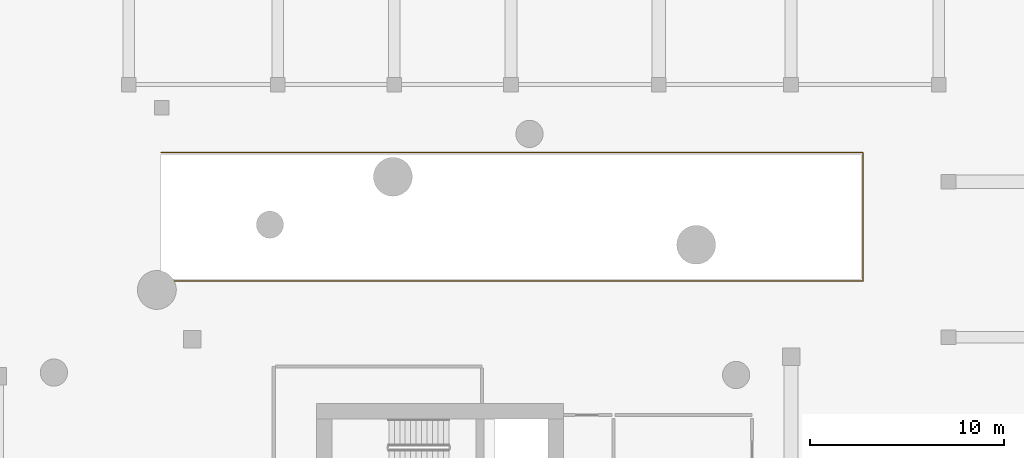
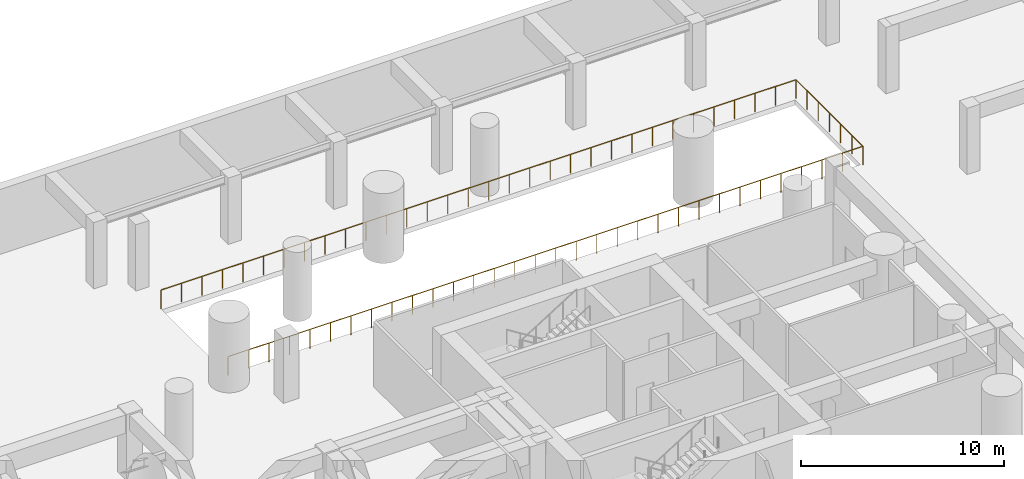
# One storey, part 10 of 10: 1 railing.
"""IFC4 building model written with IfcOpenShell, lengths in metres."""

from ifc_helpers import new_model, si_unit, direction, frame, origin, origin_2d, place, context, subcontext, project, spatial, circle, extrude, source, transform, mapped, material, type_object, element, save


model = new_model("IFC4")

# Units and contexts
model_context = context("Model", 3, precision=1e-05, world=origin(), true_north=direction((0.0, 1.0)))
body_context = subcontext(model_context, "Body", "Model", "MODEL_VIEW")
ifc_project = project(units=[si_unit("LENGTHUNIT", "METRE"), si_unit("AREAUNIT", "SQUARE_METRE"), si_unit("VOLUMEUNIT", "CUBIC_METRE"), si_unit("PLANEANGLEUNIT", "RADIAN"), si_unit("MASSUNIT", "GRAM", prefix="KILO")], contexts=[model_context])

# Site, building, storey
site_placement = place(None, origin())
site = spatial("IfcSite", under=ifc_project, at=site_placement, CompositionType="ELEMENT")
building_placement = place(site_placement, origin())
building = spatial("IfcBuilding", under=site, at=building_placement, Name="Qafzar Sky-Pleat Residences", CompositionType="ELEMENT")
storey_placement = place(building_placement, frame((0.0, 0.0, -4.199951171875)))
storey = spatial("IfcBuildingStorey", under=building, at=storey_placement, Name="B01", CompositionType="ELEMENT", Elevation=-4.199951171875)

# Railing
ifc_material = material(Name="Galvanised and bronze-coated Steel S355 guardrail", Category="steel")
railing_type = type_object("IfcRailingType", Name="RAIL-EXT-1150", PredefinedType="GUARDRAIL", material=ifc_material)
shared_shape = source(origin(), body_context, "Body", "SweptSolid", [
    extrude(circle(Radius=0.02392578125, at=origin_2d()), frame((0.0, 0.0, 1.1259765625), z_axis=(1.0, 0.0, 0.0), x_axis=(0.0, 1.0, 0.0)), (0.0, 0.0, 1.0), 36.10009765625),
    extrude(circle(Radius=0.02392578125, at=origin_2d()), frame((36.10009765625, 0.0, 1.1259765625), z_axis=(0.0, 1.0, 0.0), x_axis=(-1.0, 0.0, 0.0)), (0.0, 0.0, 1.0), 6.60009765625),
    extrude(circle(Radius=0.02392578125, at=origin_2d()), frame((36.10009765625, 6.60009765625, 1.1259765625), z_axis=(-1.0, 0.0, 0.0), x_axis=(0.0, -1.0, 0.0)), (0.0, 0.0, 1.0), 36.10009765625),
    extrude(circle(Radius=0.02099609375, at=origin_2d()), origin(), (0.0, 0.0, 1.0), 1.101806640625),
    extrude(circle(Radius=0.02099609375, at=origin_2d()), frame((1.16455078125, 0.0, 0.0)), (0.0, 0.0, 1.0), 1.101806640625),
    extrude(circle(Radius=0.02099609375, at=origin_2d()), frame((2.3291015625, 0.0, 0.0)), (0.0, 0.0, 1.0), 1.101806640625),
    extrude(circle(Radius=0.02099609375, at=origin_2d()), frame((3.49365234375, 0.0, 0.0)), (0.0, 0.0, 1.0), 1.101806640625),
    extrude(circle(Radius=0.02099609375, at=origin_2d()), frame((4.657958984375, 0.0, 0.0)), (0.0, 0.0, 1.0), 1.101806640625),
    extrude(circle(Radius=0.02099609375, at=origin_2d()), frame((5.822509765625, 0.0, 0.0)), (0.0, 0.0, 1.0), 1.101806640625),
    extrude(circle(Radius=0.02099609375, at=origin_2d()), frame((6.987060546875, 0.0, 0.0)), (0.0, 0.0, 1.0), 1.101806640625),
    extrude(circle(Radius=0.02099609375, at=origin_2d()), frame((8.151611328125, 0.0, 0.0)), (0.0, 0.0, 1.0), 1.101806640625),
    extrude(circle(Radius=0.02099609375, at=origin_2d()), frame((9.316162109375, 0.0, 0.0)), (0.0, 0.0, 1.0), 1.101806640625),
    extrude(circle(Radius=0.02099609375, at=origin_2d()), frame((10.480712890625, 0.0, 0.0)), (0.0, 0.0, 1.0), 1.101806640625),
    extrude(circle(Radius=0.02099609375, at=origin_2d()), frame((11.645263671875, 0.0, 0.0)), (0.0, 0.0, 1.0), 1.101806640625),
    extrude(circle(Radius=0.02099609375, at=origin_2d()), frame((12.809814453125, 0.0, 0.0)), (0.0, 0.0, 1.0), 1.101806640625),
    extrude(circle(Radius=0.02099609375, at=origin_2d()), frame((13.97412109375, 0.0, 0.0)), (0.0, 0.0, 1.0), 1.101806640625),
    extrude(circle(Radius=0.02099609375, at=origin_2d()), frame((15.138671875, 0.0, 0.0)), (0.0, 0.0, 1.0), 1.101806640625),
    extrude(circle(Radius=0.02099609375, at=origin_2d()), frame((16.30322265625, 0.0, 0.0)), (0.0, 0.0, 1.0), 1.101806640625),
    extrude(circle(Radius=0.02099609375, at=origin_2d()), frame((17.4677734375, 0.0, 0.0)), (0.0, 0.0, 1.0), 1.101806640625),
    extrude(circle(Radius=0.02099609375, at=origin_2d()), frame((18.63232421875, 0.0, 0.0)), (0.0, 0.0, 1.0), 1.101806640625),
    extrude(circle(Radius=0.02099609375, at=origin_2d()), frame((19.796875, 0.0, 0.0)), (0.0, 0.0, 1.0), 1.101806640625),
    extrude(circle(Radius=0.02099609375, at=origin_2d()), frame((20.96142578125, 0.0, 0.0)), (0.0, 0.0, 1.0), 1.101806640625),
    extrude(circle(Radius=0.02099609375, at=origin_2d()), frame((22.1259765625, 0.0, 0.0)), (0.0, 0.0, 1.0), 1.101806640625),
    extrude(circle(Radius=0.02099609375, at=origin_2d()), frame((23.290283203125, 0.0, 0.0)), (0.0, 0.0, 1.0), 1.101806640625),
    extrude(circle(Radius=0.02099609375, at=origin_2d()), frame((24.454833984375, 0.0, 0.0)), (0.0, 0.0, 1.0), 1.101806640625),
    extrude(circle(Radius=0.02099609375, at=origin_2d()), frame((25.619384765625, 0.0, 0.0)), (0.0, 0.0, 1.0), 1.101806640625),
    extrude(circle(Radius=0.02099609375, at=origin_2d()), frame((26.783935546875, 0.0, 0.0)), (0.0, 0.0, 1.0), 1.101806640625),
    extrude(circle(Radius=0.02099609375, at=origin_2d()), frame((27.948486328125, 0.0, 0.0)), (0.0, 0.0, 1.0), 1.101806640625),
    extrude(circle(Radius=0.02099609375, at=origin_2d()), frame((29.113037109375, 0.0, 0.0)), (0.0, 0.0, 1.0), 1.101806640625),
    extrude(circle(Radius=0.02099609375, at=origin_2d()), frame((30.277587890625, 0.0, 0.0)), (0.0, 0.0, 1.0), 1.101806640625),
    extrude(circle(Radius=0.02099609375, at=origin_2d()), frame((31.442138671875, 0.0, 0.0)), (0.0, 0.0, 1.0), 1.101806640625),
    extrude(circle(Radius=0.02099609375, at=origin_2d()), frame((32.6064453125, 0.0, 0.0)), (0.0, 0.0, 1.0), 1.101806640625),
    extrude(circle(Radius=0.02099609375, at=origin_2d()), frame((33.77099609375, 0.0, 0.0)), (0.0, 0.0, 1.0), 1.101806640625),
    extrude(circle(Radius=0.02099609375, at=origin_2d()), frame((34.935546875, 0.0, 0.0)), (0.0, 0.0, 1.0), 1.101806640625),
    extrude(circle(Radius=0.02099609375, at=origin_2d()), frame((36.10009765625, 0.0, 0.0)), (0.0, 0.0, 1.0), 1.101806640625),
    extrude(circle(Radius=0.02099609375, at=origin_2d()), frame((36.10009765625, 1.10009765625, 0.0)), (0.0, 0.0, 1.0), 1.101806640625),
    extrude(circle(Radius=0.02099609375, at=origin_2d()), frame((36.10009765625, 2.199951171875, 0.0)), (0.0, 0.0, 1.0), 1.101806640625),
    extrude(circle(Radius=0.02099609375, at=origin_2d()), frame((36.10009765625, 3.300048828125, 0.0)), (0.0, 0.0, 1.0), 1.101806640625),
    extrude(circle(Radius=0.02099609375, at=origin_2d()), frame((36.10009765625, 4.400146484375, 0.0)), (0.0, 0.0, 1.0), 1.101806640625),
    extrude(circle(Radius=0.02099609375, at=origin_2d()), frame((36.10009765625, 5.5, 0.0)), (0.0, 0.0, 1.0), 1.101806640625),
    extrude(circle(Radius=0.02099609375, at=origin_2d()), frame((36.10009765625, 6.60009765625, 0.0)), (0.0, 0.0, 1.0), 1.101806640625),
    extrude(circle(Radius=0.02099609375, at=origin_2d()), frame((34.935546875, 6.60009765625, 0.0)), (0.0, 0.0, 1.0), 1.101806640625),
    extrude(circle(Radius=0.02099609375, at=origin_2d()), frame((33.77099609375, 6.60009765625, 0.0)), (0.0, 0.0, 1.0), 1.101806640625),
    extrude(circle(Radius=0.02099609375, at=origin_2d()), frame((32.6064453125, 6.60009765625, 0.0)), (0.0, 0.0, 1.0), 1.101806640625),
    extrude(circle(Radius=0.02099609375, at=origin_2d()), frame((31.442138671875, 6.60009765625, 0.0)), (0.0, 0.0, 1.0), 1.101806640625),
    extrude(circle(Radius=0.02099609375, at=origin_2d()), frame((30.277587890625, 6.60009765625, 0.0)), (0.0, 0.0, 1.0), 1.101806640625),
    extrude(circle(Radius=0.02099609375, at=origin_2d()), frame((29.113037109375, 6.60009765625, 0.0)), (0.0, 0.0, 1.0), 1.101806640625),
    extrude(circle(Radius=0.02099609375, at=origin_2d()), frame((27.948486328125, 6.60009765625, 0.0)), (0.0, 0.0, 1.0), 1.101806640625),
    extrude(circle(Radius=0.02099609375, at=origin_2d()), frame((26.783935546875, 6.60009765625, 0.0)), (0.0, 0.0, 1.0), 1.101806640625),
    extrude(circle(Radius=0.02099609375, at=origin_2d()), frame((25.619384765625, 6.60009765625, 0.0)), (0.0, 0.0, 1.0), 1.101806640625),
    extrude(circle(Radius=0.02099609375, at=origin_2d()), frame((24.454833984375, 6.60009765625, 0.0)), (0.0, 0.0, 1.0), 1.101806640625),
    extrude(circle(Radius=0.02099609375, at=origin_2d()), frame((23.290283203125, 6.60009765625, 0.0)), (0.0, 0.0, 1.0), 1.101806640625),
    extrude(circle(Radius=0.02099609375, at=origin_2d()), frame((22.1259765625, 6.60009765625, 0.0)), (0.0, 0.0, 1.0), 1.101806640625),
    extrude(circle(Radius=0.02099609375, at=origin_2d()), frame((20.96142578125, 6.60009765625, 0.0)), (0.0, 0.0, 1.0), 1.101806640625),
    extrude(circle(Radius=0.02099609375, at=origin_2d()), frame((19.796875, 6.60009765625, 0.0)), (0.0, 0.0, 1.0), 1.101806640625),
    extrude(circle(Radius=0.02099609375, at=origin_2d()), frame((18.63232421875, 6.60009765625, 0.0)), (0.0, 0.0, 1.0), 1.101806640625),
    extrude(circle(Radius=0.02099609375, at=origin_2d()), frame((17.4677734375, 6.60009765625, 0.0)), (0.0, 0.0, 1.0), 1.101806640625),
    extrude(circle(Radius=0.02099609375, at=origin_2d()), frame((16.30322265625, 6.60009765625, 0.0)), (0.0, 0.0, 1.0), 1.101806640625),
    extrude(circle(Radius=0.02099609375, at=origin_2d()), frame((15.138671875, 6.60009765625, 0.0)), (0.0, 0.0, 1.0), 1.101806640625),
    extrude(circle(Radius=0.02099609375, at=origin_2d()), frame((13.97412109375, 6.60009765625, 0.0)), (0.0, 0.0, 1.0), 1.101806640625),
    extrude(circle(Radius=0.02099609375, at=origin_2d()), frame((12.809814453125, 6.60009765625, 0.0)), (0.0, 0.0, 1.0), 1.101806640625),
    extrude(circle(Radius=0.02099609375, at=origin_2d()), frame((11.645263671875, 6.60009765625, 0.0)), (0.0, 0.0, 1.0), 1.101806640625),
    extrude(circle(Radius=0.02099609375, at=origin_2d()), frame((10.480712890625, 6.60009765625, 0.0)), (0.0, 0.0, 1.0), 1.101806640625),
    extrude(circle(Radius=0.02099609375, at=origin_2d()), frame((9.316162109375, 6.60009765625, 0.0)), (0.0, 0.0, 1.0), 1.101806640625),
    extrude(circle(Radius=0.02099609375, at=origin_2d()), frame((8.151611328125, 6.60009765625, 0.0)), (0.0, 0.0, 1.0), 1.101806640625),
    extrude(circle(Radius=0.02099609375, at=origin_2d()), frame((6.987060546875, 6.60009765625, 0.0)), (0.0, 0.0, 1.0), 1.101806640625),
    extrude(circle(Radius=0.02099609375, at=origin_2d()), frame((5.822509765625, 6.60009765625, 0.0)), (0.0, 0.0, 1.0), 1.101806640625),
    extrude(circle(Radius=0.02099609375, at=origin_2d()), frame((4.657958984375, 6.60009765625, 0.0)), (0.0, 0.0, 1.0), 1.101806640625),
    extrude(circle(Radius=0.02099609375, at=origin_2d()), frame((3.49365234375, 6.60009765625, 0.0)), (0.0, 0.0, 1.0), 1.101806640625),
    extrude(circle(Radius=0.02099609375, at=origin_2d()), frame((2.3291015625, 6.60009765625, 0.0)), (0.0, 0.0, 1.0), 1.101806640625),
    extrude(circle(Radius=0.02099609375, at=origin_2d()), frame((1.16455078125, 6.60009765625, 0.0)), (0.0, 0.0, 1.0), 1.101806640625),
    extrude(circle(Radius=0.02099609375, at=origin_2d()), frame((0.0, 6.60009765625, 0.0)), (0.0, 0.0, 1.0), 1.101806640625),
])
railing_placement = place(storey_placement, frame((16.0, 40.89990234375, 0.0)))
element("IfcRailing", 1, at=railing_placement, inside=storey, type_object=railing_type, Name="B01 Vehicle Ramp Opening Guardrail", PredefinedType="GUARDRAIL", context=body_context, shape_type="MappedRepresentation", body=[
    mapped(shared_shape, transform((0.0, 0.0, 0.0), x_axis=(1.0, 0.0, 0.0), y_axis=(0.0, 1.0, 0.0), z_axis=(0.0, 0.0, 1.0), scale=1.0)),
])

save(model, "model.ifc")
